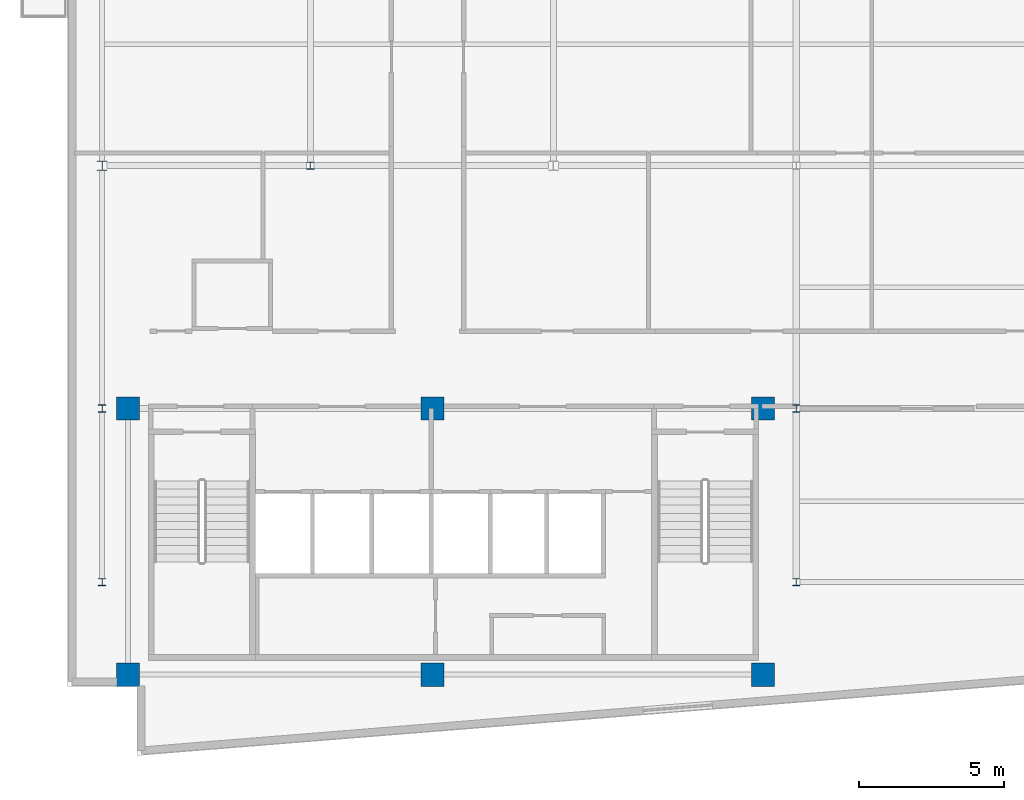
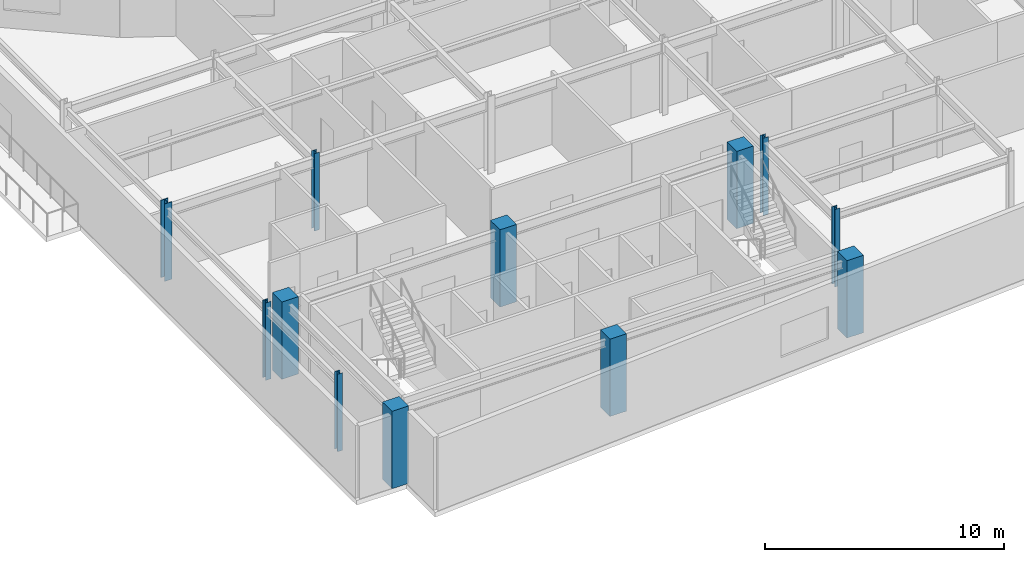
# One storey, part 1 of 16: 12 columns.
"""IFC4 building model written with IfcOpenShell, lengths in metres."""

from ifc_helpers import new_model, si_unit, direction, frame, origin, origin_2d, place, context, subcontext, project, spatial, rectangle, i_section, extrude, material, material_profile, profile_set, type_object, element, save


model = new_model("IFC4")

# Units and contexts
model_context = context("Model", 3, precision=1e-05, world=origin(), true_north=direction((0.0, 1.0)))
body_context = subcontext(model_context, "Body", "Model", "MODEL_VIEW")
ifc_project = project(units=[si_unit("LENGTHUNIT", "METRE"), si_unit("AREAUNIT", "SQUARE_METRE"), si_unit("VOLUMEUNIT", "CUBIC_METRE"), si_unit("PLANEANGLEUNIT", "RADIAN"), si_unit("MASSUNIT", "GRAM", prefix="KILO")], contexts=[model_context])

# Site, building, storey
site_placement = place(None, origin())
site = spatial("IfcSite", under=ifc_project, at=site_placement, CompositionType="ELEMENT")
building_placement = place(site_placement, origin())
building = spatial("IfcBuilding", under=site, at=building_placement, Name="Varnakote Quay Hospital", CompositionType="ELEMENT")
storey_placement = place(building_placement, frame((0.0, 0.0, 264.449951171875)))
storey = spatial("IfcBuildingStorey", under=building, at=storey_placement, Name="L65", CompositionType="ELEMENT", Elevation=264.449951171875)

# Columns
ifc_material_1 = material(Name="Concrete N50 (f'c 50 MPa)", Category="concrete")
ifc_material_profile_1 = material_profile(ifc_material_1, rectangle(XDim=0.800048828125, YDim=0.800048828125, at=origin_2d()), Name="RC-COL-800x800")
ifc_profile_set_1 = profile_set([ifc_material_profile_1], Name="Concrete N50 (f'c 50 MPa)")
column_type_1 = type_object("IfcColumnType", Name="COL-RC-800", PredefinedType="COLUMN", material=ifc_profile_set_1)
for number, where, z_axis, x_axis, name in (
    (1, (2.10009765625, 2.800048828125, 0.0), (0.0, 0.0, 1.0), (1.0, 0.0, 0.0), "L65 Structural Column C-2-3"),
    (2, (12.6201171875, 2.800048828125, 0.0), (0.0, 0.0, 1.0), (1.0, 0.0, 0.0), "L65 Structural Column C-13-3"),
    (3, (24.050048828125, 2.800048828125, 0.0), (0.0, 0.0, 1.0), (1.0, 0.0, 0.0), "L65 Structural Column C-24-3"),
    (4, (2.10009765625, 12.0, 0.0), (0.0, 0.0, 1.0), (1.0, 0.0, 0.0), "L65 Structural Column C-2-12"),
    (5, (12.6201171875, 12.0, 0.0), (0.0, 0.0, 1.0), (1.0, 0.0, 0.0), "L65 Structural Column C-13-12"),
    (6, (24.050048828125, 12.0, 0.0), (0.0, 0.0, 1.0), (1.0, 0.0, 0.0), "L65 Structural Column C-24-12"),
):
    element("IfcColumn", number, at=place(storey_placement, frame(where, z_axis=z_axis, x_axis=x_axis)), inside=storey, type_object=column_type_1, Name=name, PredefinedType="COLUMN", context=body_context, shape_type="SweptSolid", body=[
        extrude(rectangle(XDim=0.800048828125, YDim=0.800048828125, at=origin_2d()), origin(), (0.0, 0.0, 1.0), 3.949951171875),
    ])
ifc_material_2 = material(Name="Structural steel AS/NZS 3679.1 Grade 350 L0 (fy 340 MPa)", Category="steel")
ifc_material_profile_2 = material_profile(ifc_material_2, i_section(OverallWidth=0.25390625, OverallDepth=0.25390625, WebThickness=0.008544921875, FlangeThickness=0.01416015625, FilletRadius=0.0126953125, at=origin_2d()), Name="250UC72.9")
ifc_profile_set_2 = profile_set([ifc_material_profile_2], Name="Structural steel AS/NZS 3679.1 Grade 350 L0 (fy 340 MPa)")
column_type_2 = type_object("IfcColumnType", Name="COL-STL-250UC72-9", PredefinedType="COLUMN", material=ifc_profile_set_2)
for number, where, z_axis, x_axis, name in (
    (7, (1.199951171875, 6.0, 0.0), (0.0, 0.0, 1.0), (1.0, 0.0, 0.0), "L65 Structural Column C-1-6"),
    (8, (25.199951171875, 6.0, 0.0), (0.0, 0.0, 1.0), (1.0, 0.0, 0.0), "L65 Structural Column C-25-6"),
    (9, (1.199951171875, 12.0, 0.0), (0.0, 0.0, 1.0), (1.0, 0.0, 0.0), "L65 Structural Column C-1-12"),
    (10, (25.199951171875, 12.0, 0.0), (0.0, 0.0, 1.0), (1.0, 0.0, 0.0), "L65 Structural Column C-25-12"),
    (11, (8.39990234375, 20.39990234375, 0.0), (0.0, 0.0, 1.0), (1.0, 0.0, 0.0), "L65 Structural Column C-8-20"),
):
    element("IfcColumn", number, at=place(storey_placement, frame(where, z_axis=z_axis, x_axis=x_axis)), inside=storey, type_object=column_type_2, Name=name, PredefinedType="COLUMN", context=body_context, shape_type="SweptSolid", body=[
        extrude(i_section(OverallWidth=0.25390625, OverallDepth=0.25390625, WebThickness=0.008544921875, FlangeThickness=0.01416015625, FilletRadius=0.0126953125, at=origin_2d()), origin(), (0.0, 0.0, 1.0), 3.949951171875),
    ])
ifc_material_3 = material(Name="Structural steel AS/NZS 3678 Grade 350 (fy 340 MPa)", Category="steel")
ifc_material_profile_3 = material_profile(ifc_material_3, i_section(OverallWidth=0.35009765625, OverallDepth=0.340087890625, WebThickness=0.01611328125, FlangeThickness=0.028076171875, at=origin_2d()), Name="350WC197")
ifc_profile_set_3 = profile_set([ifc_material_profile_3], Name="Structural steel AS/NZS 3678 Grade 350 (fy 340 MPa)")
column_type_3 = type_object("IfcColumnType", Name="COL-STL-350WC197", PredefinedType="COLUMN", material=ifc_profile_set_3)
column_placement = place(storey_placement, frame((1.199951171875, 20.39990234375, 0.0), z_axis=(0.0, 0.0, 1.0), x_axis=(1.0, 0.0, 0.0)))
element("IfcColumn", 12, at=column_placement, inside=storey, type_object=column_type_3, Name="L65 Structural Column C-1-20", PredefinedType="COLUMN", context=body_context, shape_type="SweptSolid", body=[
    extrude(i_section(OverallWidth=0.35009765625, OverallDepth=0.340087890625, WebThickness=0.01611328125, FlangeThickness=0.028076171875, at=origin_2d()), origin(), (0.0, 0.0, 1.0), 3.949951171875),
])

save(model, "model.ifc")
